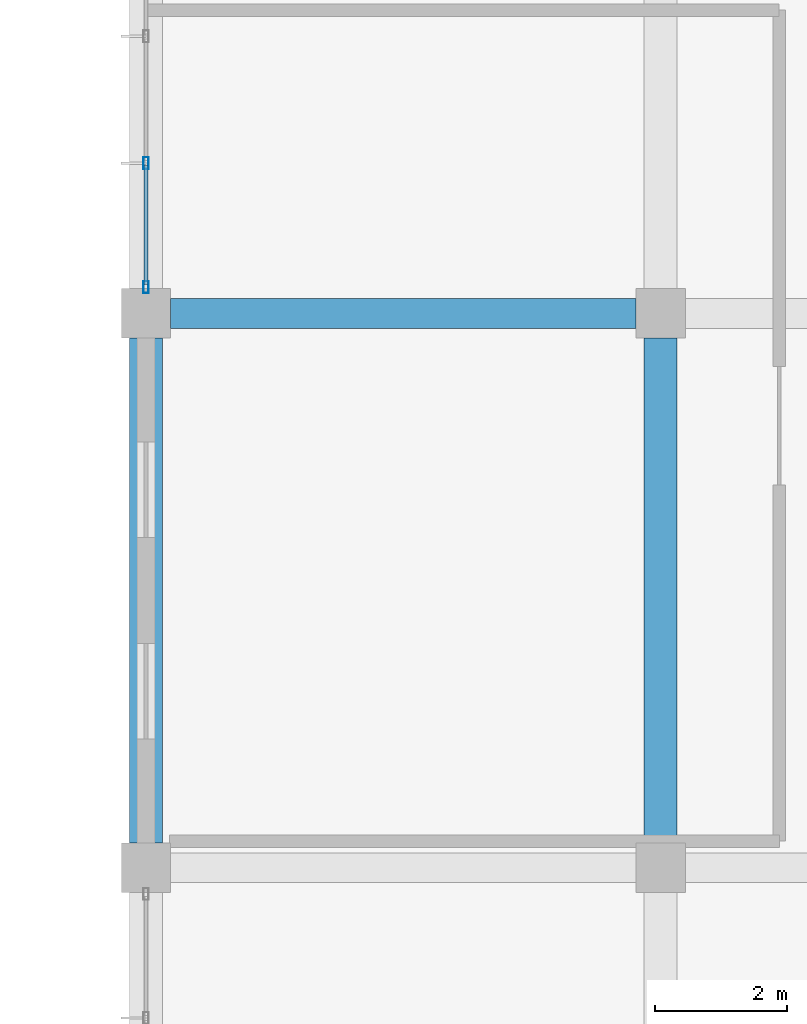
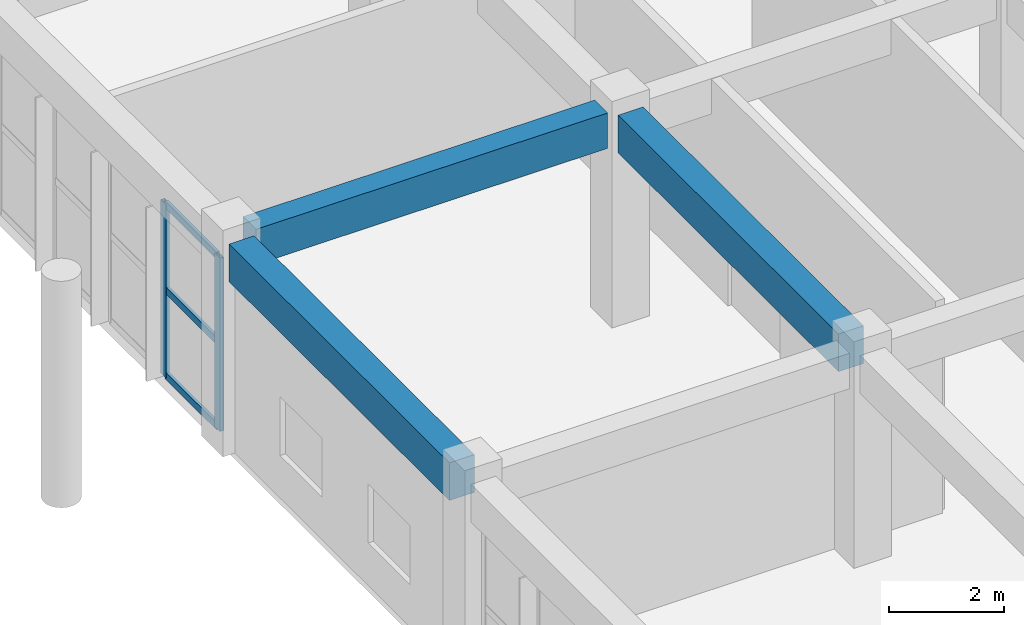
# One storey, part 65 of 175: 5 members, 3 beams, 1 element without a shape of its own.
"""IFC4 building model written with IfcOpenShell, lengths in metres."""

from ifc_helpers import new_model, si_unit, direction, frame, origin, origin_2d, place, context, subcontext, project, spatial, rectangle, hollow_rectangle, extrude, material, layer, layer_set, material_profile, profile_set, type_object, element, aggregate, save


model = new_model("IFC4")

# Units and contexts
model_context = context("Model", 3, precision=1e-05, world=origin(), true_north=direction((0.0, 1.0)))
body_context = subcontext(model_context, "Body", "Model", "MODEL_VIEW")
ifc_project = project(units=[si_unit("LENGTHUNIT", "METRE"), si_unit("AREAUNIT", "SQUARE_METRE"), si_unit("VOLUMEUNIT", "CUBIC_METRE"), si_unit("PLANEANGLEUNIT", "RADIAN"), si_unit("MASSUNIT", "GRAM", prefix="KILO")], contexts=[model_context])

# Site, building, storey
site_placement = place(None, origin())
site = spatial("IfcSite", under=ifc_project, at=site_placement, CompositionType="ELEMENT")
building_placement = place(site_placement, origin())
building = spatial("IfcBuilding", under=site, at=building_placement, Name="Zizhar Promenade General Hospital", CompositionType="ELEMENT")
storey_placement = place(building_placement, frame((0.0, 0.0, 4.800048828125)))
storey = spatial("IfcBuildingStorey", under=building, at=storey_placement, Name="L01", CompositionType="ELEMENT", Elevation=4.800048828125)

# Beams
ifc_material_1 = material(Name="Concrete C35/45", Category="concrete")
ifc_material_profile_1 = material_profile(ifc_material_1, rectangle(XDim=0.449951171875, YDim=0.75, at=origin_2d()))
ifc_profile_set_1 = profile_set([ifc_material_profile_1], Name="Concrete C35/45")
beam_type_1 = type_object("IfcBeamType", Name="BM-RC-450x750", PredefinedType="BEAM", material=ifc_profile_set_1)
beam_placement = place(storey_placement, frame((47.175048828125, 100.800048828125, 4.094970703125), z_axis=(1.0, 0.0, 0.0), x_axis=(0.0, 1.0, 0.0)))
element("IfcBeam", 1, at=beam_placement, inside=storey, type_object=beam_type_1, Name="Grid Beam X L01 (6-12)", PredefinedType="BEAM", context=body_context, shape_type="SweptSolid", body=[
    extrude(rectangle(XDim=0.449951171875, YDim=0.75, at=origin_2d()), origin(), (0.0, 0.0, 1.0), 7.050048828125),
])
ifc_material_2 = material(Name="Concrete C35/45", Category="concrete")
ifc_material_profile_2 = material_profile(ifc_material_2, rectangle(XDim=0.5, YDim=0.800048828125, at=origin_2d()))
ifc_profile_set_2 = profile_set([ifc_material_profile_2], Name="Concrete C35/45")
beam_type_2 = type_object("IfcBeamType", Name="BM-RC-500x800", PredefinedType="BEAM", material=ifc_profile_set_2)
for number, where, z_axis, x_axis, name in (
    (2, (46.800048828125, 92.77490234375, 4.070068359375), (0.0, 1.0, 0.0), (-1.0, 0.0, 0.0), "Grid Beam Y L01 (6-11)"),
    (3, (54.60009765625, 92.77490234375, 4.070068359375), (0.0, 1.0, 0.0), (-1.0, 0.0, 0.0), "Grid Beam Y L01 (7-11)"),
):
    element("IfcBeam", number, at=place(storey_placement, frame(where, z_axis=z_axis, x_axis=x_axis)), inside=storey, type_object=beam_type_2, Name=name, PredefinedType="BEAM", context=body_context, shape_type="SweptSolid", body=[
        extrude(rectangle(XDim=0.5, YDim=0.800048828125, at=origin_2d()), origin(), (0.0, 0.0, 1.0), 7.650146484375),
    ])

# Curtain wall, members
ifc_material_3 = material(Name="Anodised aluminium 6063-T6 and low-E glass", Category="aluminium")
ifc_layer = layer(ifc_material_3, 0.159912109375)
ifc_layer_set = layer_set([ifc_layer], Name="Anodised aluminium 6063-T6 and low-E glass")
curtain_wall_type = type_object("IfcCurtainWallType", Name="CW-DT-MOD1", PredefinedType="NOTDEFINED", material=ifc_layer_set)
curtain_wall_placement = place(storey_placement, origin())
curtain_wall = element("IfcCurtainWall", 4, at=curtain_wall_placement, inside=storey, type_object=curtain_wall_type, Name="Surgical West Glazed Curtain Wall L01-12", PredefinedType="NOTDEFINED")
ifc_material_4 = material(Name="Anodised aluminium 6063-T6", Category="aluminium")
ifc_material_profile_3 = material_profile(ifc_material_4, hollow_rectangle(XDim=0.080078125, YDim=0.179931640625, WallThickness=0.0048828125, at=origin_2d()))
ifc_profile_set_3 = profile_set([ifc_material_profile_3], Name="Anodised aluminium 6063-T6")
member_type_1 = type_object("IfcMemberType", Name="CWM-ALU-180x80", PredefinedType="MULLION", material=ifc_profile_set_3)
member_1_placement = place(storey_placement, frame((46.800048828125, 101.199951171875, 0.0), z_axis=(0.0, 0.0, 1.0), x_axis=(-1.0, 0.0, 0.0)))
member_1 = element("IfcMember", 5, at=member_1_placement, type_object=member_type_1, Name="CW-07 mullion 1", PredefinedType="MULLION", context=body_context, shape_type="SweptSolid", body=[
    extrude(hollow_rectangle(XDim=0.080078125, YDim=0.179931640625, WallThickness=0.0048828125, at=origin_2d()), origin(), (0.0, 0.0, 1.0), 3.679931640625),
])
member_2_placement = place(storey_placement, frame((46.800048828125, 103.080078125, 0.0), z_axis=(0.0, 0.0, 1.0), x_axis=(-1.0, 0.0, 0.0)))
member_2 = element("IfcMember", 6, at=member_2_placement, type_object=member_type_1, Name="CW-07 mullion 2", PredefinedType="MULLION", context=body_context, shape_type="SweptSolid", body=[
    extrude(hollow_rectangle(XDim=0.080078125, YDim=0.179931640625, WallThickness=0.0048828125, at=origin_2d()), origin(), (0.0, 0.0, 1.0), 3.679931640625),
])
ifc_material_5 = material(Name="Anodised aluminium 6063-T6", Category="aluminium")
ifc_material_profile_4 = material_profile(ifc_material_5, hollow_rectangle(XDim=0.06005859375, YDim=0.14990234375, WallThickness=0.00390625, at=origin_2d()))
ifc_profile_set_4 = profile_set([ifc_material_profile_4], Name="Anodised aluminium 6063-T6")
member_type_2 = type_object("IfcMemberType", Name="CWT-ALU-150x60", PredefinedType="USERDEFINED", material=ifc_profile_set_4)
member_3_placement = place(storey_placement, frame((46.800048828125, 101.239990234375, 0.030029296875), z_axis=(0.0, 1.0, 0.0), x_axis=(-1.0, 0.0, 0.0)))
member_3 = element("IfcMember", 7, at=member_3_placement, type_object=member_type_2, Name="CW-07 transom 1.1", ObjectType="TRANSOM", PredefinedType="USERDEFINED", context=body_context, shape_type="SweptSolid", body=[
    extrude(hollow_rectangle(XDim=0.06005859375, YDim=0.14990234375, WallThickness=0.00390625, at=origin_2d()), origin(), (0.0, 0.0, 1.0), 1.800048828125),
])
member_4_placement = place(storey_placement, frame((46.800048828125, 101.239990234375, 1.83984375), z_axis=(0.0, 1.0, 0.0), x_axis=(-1.0, 0.0, 0.0)))
member_4 = element("IfcMember", 8, at=member_4_placement, type_object=member_type_2, Name="CW-07 transom 1.2", ObjectType="TRANSOM", PredefinedType="USERDEFINED", context=body_context, shape_type="SweptSolid", body=[
    extrude(hollow_rectangle(XDim=0.06005859375, YDim=0.14990234375, WallThickness=0.00390625, at=origin_2d()), origin(), (0.0, 0.0, 1.0), 1.800048828125),
])
member_5_placement = place(storey_placement, frame((46.800048828125, 101.239990234375, 3.64990234375), z_axis=(0.0, 1.0, 0.0), x_axis=(-1.0, 0.0, 0.0)))
member_5 = element("IfcMember", 9, at=member_5_placement, type_object=member_type_2, Name="CW-07 transom 1.3", ObjectType="TRANSOM", PredefinedType="USERDEFINED", context=body_context, shape_type="SweptSolid", body=[
    extrude(hollow_rectangle(XDim=0.06005859375, YDim=0.14990234375, WallThickness=0.00390625, at=origin_2d()), origin(), (0.0, 0.0, 1.0), 1.800048828125),
])
aggregate(curtain_wall, [member_1, member_2, member_3, member_4, member_5])

save(model, "model.ifc")
